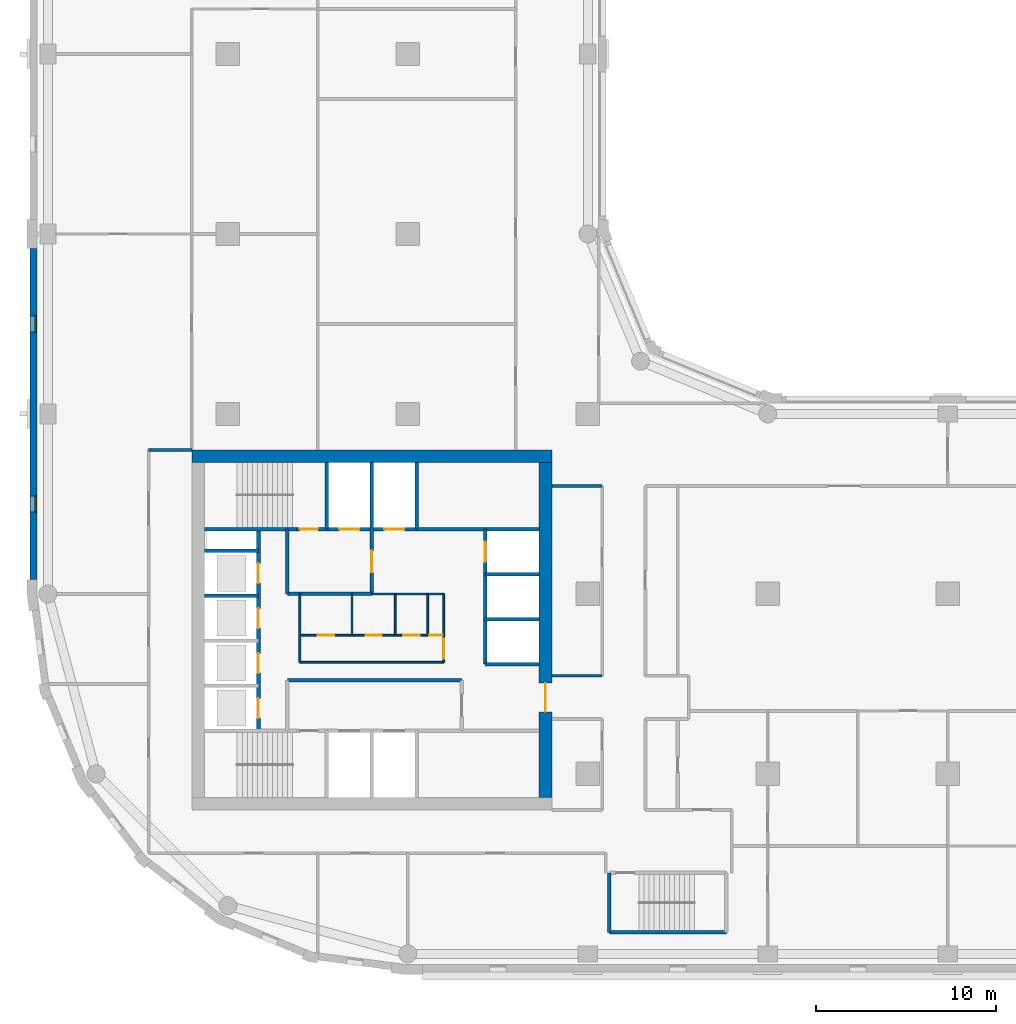
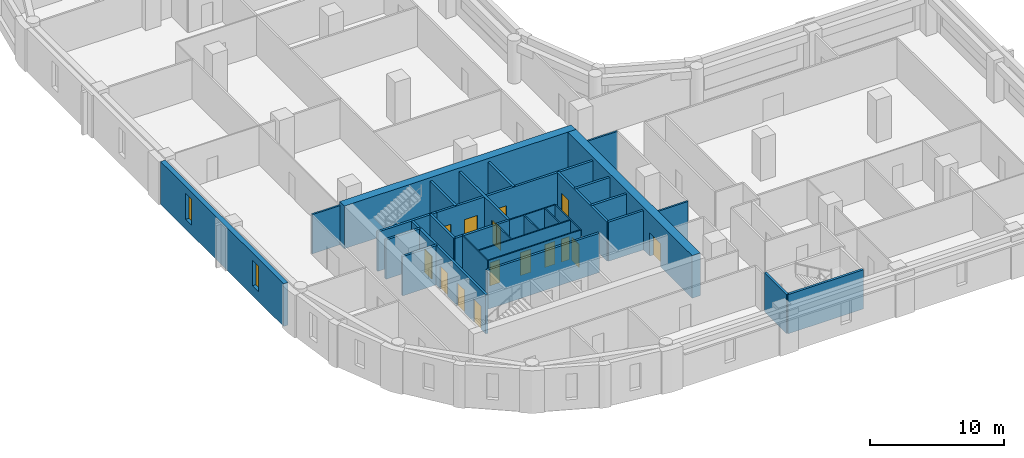
# One storey, part 3 of 10: 31 walls, 15 doors, 2 windows, 17 openings.
"""IFC4 building model written with IfcOpenShell, lengths in metres."""

from ifc_helpers import new_model, si_unit, direction, frame, frame_2d, origin, place, context, subcontext, project, spatial, rectangle, extrude, material, layer, layer_set, type_object, element, fill, save


model = new_model("IFC4")

# Units and contexts
model_context = context("Model", 3, precision=1e-05, world=origin(), true_north=direction((0.0, 1.0)))
body_context = subcontext(model_context, "Body", "Model", "MODEL_VIEW")
ifc_project = project(units=[si_unit("LENGTHUNIT", "METRE"), si_unit("AREAUNIT", "SQUARE_METRE"), si_unit("VOLUMEUNIT", "CUBIC_METRE"), si_unit("PLANEANGLEUNIT", "RADIAN"), si_unit("MASSUNIT", "GRAM", prefix="KILO")], contexts=[model_context])

# Site, building, storey
site_placement = place(None, origin())
site = spatial("IfcSite", under=ifc_project, at=site_placement, CompositionType="ELEMENT")
building_placement = place(site_placement, origin())
building = spatial("IfcBuilding", under=site, at=building_placement, Name="Qaws Garden Tower", CompositionType="ELEMENT")
storey_placement = place(building_placement, frame((0.0, 0.0, 205.800048828125)))
storey = spatial("IfcBuildingStorey", under=building, at=storey_placement, Name="L50", CompositionType="ELEMENT", Elevation=205.800048828125)

# Wall, openings, windows
ifc_material_1 = material(Name="Buff clay facing brick masonry", Category="masonry")
ifc_layer_1 = layer(ifc_material_1, 0.39990234375)
ifc_layer_set_1 = layer_set([ifc_layer_1], Name="Buff clay facing brick masonry")
wall_type_1 = type_object("IfcWallType", Name="Buff brick infill wall 400", PredefinedType="SOLIDWALL", material=ifc_layer_set_1)
wall_1_placement = place(storey_placement, frame((-0.800048828125, 39.199951171875, 0.0), z_axis=(0.0, 0.0, 1.0), x_axis=(0.0, -1.0, 0.0)))
wall_1 = element("IfcWall", 1, at=wall_1_placement, inside=storey, type_object=wall_type_1, Name="E-L50-infill-23", PredefinedType="SOLIDWALL", context=body_context, shape_type="SweptSolid", body=[
    extrude(rectangle(XDim=18.39990234375, YDim=0.39990234375, at=frame_2d((9.199951171875, 0.0))), origin(), (0.0, 0.0, 1.0), 3.89990234375),
])
opening_1_placement = place(wall_1_placement, frame((3.75, 0.0, 0.89990234375)))
opening_1 = element("IfcOpeningElement", 2, at=opening_1_placement, cuts=wall_1, Name="Opening W09", PredefinedType="OPENING", context=body_context, shape_type="SweptSolid", body=[
    extrude(rectangle(XDim=0.89990234375, YDim=2.35009765625, at=frame_2d((0.449951171875, 1.175048828125))), frame((0.0, 0.2099609375, 0.0), z_axis=(0.0, -1.0, 0.0), x_axis=(1.0, 0.0, 0.0)), (0.0, 0.0, 1.0), 0.419921875),
])
opening_2_placement = place(wall_1_placement, frame((13.75, 0.0, 0.89990234375)))
opening_2 = element("IfcOpeningElement", 3, at=opening_2_placement, cuts=wall_1, Name="Opening W09", PredefinedType="OPENING", context=body_context, shape_type="SweptSolid", body=[
    extrude(rectangle(XDim=0.89990234375, YDim=2.35009765625, at=frame_2d((0.449951171875, 1.175048828125))), frame((0.0, 0.2099609375, 0.0), z_axis=(0.0, -1.0, 0.0), x_axis=(1.0, 0.0, 0.0)), (0.0, 0.0, 1.0), 0.419921875),
])
ifc_material_2 = material(Name="Aluminium framed window, clear glazing", Category="aluminium")
window_type = type_object("IfcWindowType", Name="Slit window 900 x 2350", PartitioningType="SINGLE_PANEL", PredefinedType="WINDOW", material=ifc_material_2)
window_1_placement = place(opening_1_placement, origin())
window_1 = element("IfcWindow", 4, at=window_1_placement, inside=storey, type_object=window_type, Name="E-L50-window-23-0", OverallHeight=2.35009765625, OverallWidth=0.89990234375, PartitioningType="SINGLE_PANEL", PredefinedType="WINDOW", context=body_context, shape_type="SweptSolid", body=[
    extrude(rectangle(XDim=0.89990234375, YDim=2.35009765625, at=frame_2d((0.449951171875, 1.175048828125))), frame((0.0, 0.159912109375, 0.0), z_axis=(0.0, -1.0, 0.0), x_axis=(1.0, 0.0, 0.0)), (0.0, 0.0, 1.0), 0.06005859375),
])
fill(opening_1, window_1)
window_2_placement = place(opening_2_placement, origin())
window_2 = element("IfcWindow", 5, at=window_2_placement, inside=storey, type_object=window_type, Name="E-L50-window-24-0", OverallHeight=2.35009765625, OverallWidth=0.89990234375, PartitioningType="SINGLE_PANEL", PredefinedType="WINDOW", context=body_context, shape_type="SweptSolid", body=[
    extrude(rectangle(XDim=0.89990234375, YDim=2.35009765625, at=frame_2d((0.449951171875, 1.175048828125))), frame((0.0, 0.159912109375, 0.0), z_axis=(0.0, -1.0, 0.0), x_axis=(1.0, 0.0, 0.0)), (0.0, 0.0, 1.0), 0.06005859375),
])
fill(opening_2, window_2)

# Wall
ifc_material_3 = material(Name="Plasterboard")
ifc_layer_2 = layer(ifc_material_3, 0.10009765625)
ifc_layer_set_2 = layer_set([ifc_layer_2], Name="Plasterboard")
wall_type_2 = type_object("IfcWallType", Name="Core partition 100", PredefinedType="PARTITIONING", material=ifc_layer_set_2)
wall_2_placement = place(storey_placement, frame((14.0, 16.199951171875, 0.0), z_axis=(0.0, 0.0, 1.0), x_axis=(1.0, 0.0, 0.0)))
element("IfcWall", 6, at=wall_2_placement, inside=storey, type_object=wall_type_2, Name="Core partition", PredefinedType="PARTITIONING", context=body_context, shape_type="SweptSolid", body=[
    extrude(rectangle(XDim=8.0, YDim=0.10009765625, at=frame_2d((4.0, 0.0))), origin(), (0.0, 0.0, 1.0), 3.579833984375),
])

# Wall, openings, doors
wall_3_placement = place(storey_placement, frame((14.0, 17.699951171875, 0.0), z_axis=(0.0, 0.0, 1.0), x_axis=(1.0, 0.0, 0.0)))
wall_3 = element("IfcWall", 7, at=wall_3_placement, inside=storey, type_object=wall_type_2, Name="Core partition", PredefinedType="PARTITIONING", context=body_context, shape_type="SweptSolid", body=[
    extrude(rectangle(XDim=8.0, YDim=0.10009765625, at=frame_2d((4.0, 0.0))), origin(), (0.0, 0.0, 1.0), 3.579833984375),
])
opening_3_placement = place(wall_3_placement, frame((1.0, 0.0, 0.0)))
opening_3 = element("IfcOpeningElement", 8, at=opening_3_placement, cuts=wall_3, Name="Opening WD18", PredefinedType="OPENING", context=body_context, shape_type="SweptSolid", body=[
    extrude(rectangle(XDim=0.89990234375, YDim=2.10009765625, at=frame_2d((0.449951171875, 1.050048828125))), frame((0.0, 0.06005859375, 0.0), z_axis=(0.0, -1.0, 0.0), x_axis=(1.0, 0.0, 0.0)), (0.0, 0.0, 1.0), 0.1201171875),
])
opening_4_placement = place(wall_3_placement, frame((3.64990234375, 0.0, 0.0)))
opening_4 = element("IfcOpeningElement", 9, at=opening_4_placement, cuts=wall_3, Name="Opening WD19", PredefinedType="OPENING", context=body_context, shape_type="SweptSolid", body=[
    extrude(rectangle(XDim=0.89990234375, YDim=2.10009765625, at=frame_2d((0.449951171875, 1.050048828125))), frame((0.0, 0.06005859375, 0.0), z_axis=(0.0, -1.0, 0.0), x_axis=(1.0, 0.0, 0.0)), (0.0, 0.0, 1.0), 0.1201171875),
])
opening_5_placement = place(wall_3_placement, frame((5.75, 0.0, 0.0)))
opening_5 = element("IfcOpeningElement", 10, at=opening_5_placement, cuts=wall_3, Name="Opening WD20", PredefinedType="OPENING", context=body_context, shape_type="SweptSolid", body=[
    extrude(rectangle(XDim=0.89990234375, YDim=2.10009765625, at=frame_2d((0.449951171875, 1.050048828125))), frame((0.0, 0.06005859375, 0.0), z_axis=(0.0, -1.0, 0.0), x_axis=(1.0, 0.0, 0.0)), (0.0, 0.0, 1.0), 0.1201171875),
])
opening_6_placement = place(wall_3_placement, frame((7.199951171875, 0.0, 0.0)))
opening_6 = element("IfcOpeningElement", 11, at=opening_6_placement, cuts=wall_3, Name="Opening XD21", PredefinedType="OPENING", context=body_context, shape_type="SweptSolid", body=[
    extrude(rectangle(XDim=0.699951171875, YDim=2.10009765625, at=frame_2d((0.35009765625, 1.050048828125))), frame((0.0, 0.06005859375, 0.0), z_axis=(0.0, -1.0, 0.0), x_axis=(1.0, 0.0, 0.0)), (0.0, 0.0, 1.0), 0.1201171875),
])
ifc_material_4 = material(Name="Timber", Category="wood")
door_type_1 = type_object("IfcDoorType", Name="Store door 700x2100", OperationType="SINGLE_SWING_LEFT", PredefinedType="DOOR", material=ifc_material_4)
door_1_placement = place(opening_6_placement, origin())
door_1 = element("IfcDoor", 12, at=door_1_placement, inside=storey, type_object=door_type_1, Name="Cleaner's store door", OperationType="SINGLE_SWING_RIGHT", OverallHeight=2.10009765625, OverallWidth=0.699951171875, PredefinedType="DOOR", context=body_context, shape_type="SweptSolid", body=[
    extrude(rectangle(XDim=0.699951171875, YDim=2.10009765625, at=frame_2d((0.35009765625, 1.050048828125))), frame((0.0, 0.02490234375, 0.0), z_axis=(0.0, -1.0, 0.0), x_axis=(1.0, 0.0, 0.0)), (0.0, 0.0, 1.0), 0.050048828125),
])
fill(opening_6, door_1)
ifc_material_5 = material(Name="Timber", Category="wood")
door_type_2 = type_object("IfcDoorType", Name="WC door 900x2100", OperationType="SINGLE_SWING_LEFT", PredefinedType="DOOR", material=ifc_material_5)
door_2_placement = place(opening_3_placement, origin())
door_2 = element("IfcDoor", 13, at=door_2_placement, inside=storey, type_object=door_type_2, Name="Women's WC door", OperationType="SINGLE_SWING_RIGHT", OverallHeight=2.10009765625, OverallWidth=0.89990234375, PredefinedType="DOOR", context=body_context, shape_type="SweptSolid", body=[
    extrude(rectangle(XDim=0.89990234375, YDim=2.10009765625, at=frame_2d((0.449951171875, 1.050048828125))), frame((0.0, 0.02490234375, 0.0), z_axis=(0.0, -1.0, 0.0), x_axis=(1.0, 0.0, 0.0)), (0.0, 0.0, 1.0), 0.050048828125),
])
fill(opening_3, door_2)
door_3_placement = place(opening_4_placement, origin())
door_3 = element("IfcDoor", 14, at=door_3_placement, inside=storey, type_object=door_type_2, Name="Men's WC door", OperationType="SINGLE_SWING_RIGHT", OverallHeight=2.10009765625, OverallWidth=0.89990234375, PredefinedType="DOOR", context=body_context, shape_type="SweptSolid", body=[
    extrude(rectangle(XDim=0.89990234375, YDim=2.10009765625, at=frame_2d((0.449951171875, 1.050048828125))), frame((0.0, 0.02490234375, 0.0), z_axis=(0.0, -1.0, 0.0), x_axis=(1.0, 0.0, 0.0)), (0.0, 0.0, 1.0), 0.050048828125),
])
fill(opening_4, door_3)
door_4_placement = place(opening_5_placement, origin())
door_4 = element("IfcDoor", 15, at=door_4_placement, inside=storey, type_object=door_type_2, Name="Accessible WC door", OperationType="SINGLE_SWING_RIGHT", OverallHeight=2.10009765625, OverallWidth=0.89990234375, PredefinedType="DOOR", context=body_context, shape_type="SweptSolid", body=[
    extrude(rectangle(XDim=0.89990234375, YDim=2.10009765625, at=frame_2d((0.449951171875, 1.050048828125))), frame((0.0, 0.02490234375, 0.0), z_axis=(0.0, -1.0, 0.0), x_axis=(1.0, 0.0, 0.0)), (0.0, 0.0, 1.0), 0.050048828125),
])
fill(opening_5, door_4)

# Walls
wall_4_placement = place(storey_placement, frame((18.0, 20.0, 0.0), z_axis=(0.0, 0.0, 1.0), x_axis=(1.0, 0.0, 0.0)))
element("IfcWall", 16, at=wall_4_placement, inside=storey, type_object=wall_type_2, Name="Core partition", PredefinedType="PARTITIONING", context=body_context, shape_type="SweptSolid", body=[
    extrude(rectangle(XDim=4.0, YDim=0.10009765625, at=frame_2d((2.0, 0.0))), origin(), (0.0, 0.0, 1.0), 3.579833984375),
])
wall_5_placement = place(storey_placement, frame((14.0, 16.199951171875, 0.0), z_axis=(0.0, 0.0, 1.0), x_axis=(0.0, 1.0, 0.0)))
element("IfcWall", 17, at=wall_5_placement, inside=storey, type_object=wall_type_2, Name="Core partition", PredefinedType="PARTITIONING", context=body_context, shape_type="SweptSolid", body=[
    extrude(rectangle(XDim=3.800048828125, YDim=0.10009765625, at=frame_2d((1.89990234375, 0.0))), origin(), (0.0, 0.0, 1.0), 3.579833984375),
])
for number, where, z_axis, x_axis, name in (
    (18, (16.89990234375, 17.699951171875, 0.0), (0.0, 0.0, 1.0), (0.0, 1.0, 0.0), "Core partition"),
    (19, (19.300048828125, 17.699951171875, 0.0), (0.0, 0.0, 1.0), (0.0, 1.0, 0.0), "Core partition"),
    (20, (21.10009765625, 17.699951171875, 0.0), (0.0, 0.0, 1.0), (0.0, 1.0, 0.0), "Core partition"),
):
    element("IfcWall", number, at=place(storey_placement, frame(where, z_axis=z_axis, x_axis=x_axis)), inside=storey, type_object=wall_type_2, Name=name, PredefinedType="PARTITIONING", context=body_context, shape_type="SweptSolid", body=[
        extrude(rectangle(XDim=2.300048828125, YDim=0.10009765625, at=frame_2d((1.14990234375, 0.0))), origin(), (0.0, 0.0, 1.0), 3.579833984375),
    ])

# Wall, opening, door
wall_6_placement = place(storey_placement, frame((22.0, 16.199951171875, 0.0), z_axis=(0.0, 0.0, 1.0), x_axis=(0.0, 1.0, 0.0)))
wall_6 = element("IfcWall", 21, at=wall_6_placement, inside=storey, type_object=wall_type_2, Name="Core partition", PredefinedType="PARTITIONING", context=body_context, shape_type="SweptSolid", body=[
    extrude(rectangle(XDim=3.800048828125, YDim=0.10009765625, at=frame_2d((1.89990234375, 0.0))), origin(), (0.0, 0.0, 1.0), 3.579833984375),
])
opening_7_placement = place(wall_6_placement, frame((0.199951171875, 0.0, 0.0)))
opening_7 = element("IfcOpeningElement", 22, at=opening_7_placement, cuts=wall_6, Name="Opening WL17", PredefinedType="OPENING", context=body_context, shape_type="SweptSolid", body=[
    extrude(rectangle(XDim=1.10009765625, YDim=2.10009765625, at=frame_2d((0.550048828125, 1.050048828125))), frame((0.0, 0.06005859375, 0.0), z_axis=(0.0, -1.0, 0.0), x_axis=(1.0, 0.0, 0.0)), (0.0, 0.0, 1.0), 0.1201171875),
])
ifc_material_6 = material(Name="Timber", Category="wood")
door_type_3 = type_object("IfcDoorType", Name="WC lobby door 1100x2100", OperationType="SINGLE_SWING_LEFT", PredefinedType="DOOR", material=ifc_material_6)
door_5_placement = place(opening_7_placement, origin())
door_5 = element("IfcDoor", 23, at=door_5_placement, inside=storey, type_object=door_type_3, Name="WC lobby door", OperationType="SINGLE_SWING_RIGHT", OverallHeight=2.10009765625, OverallWidth=1.10009765625, PredefinedType="DOOR", context=body_context, shape_type="SweptSolid", body=[
    extrude(rectangle(XDim=1.10009765625, YDim=2.10009765625, at=frame_2d((0.550048828125, 1.050048828125))), frame((0.0, 0.02490234375, 0.0), z_axis=(0.0, -1.0, 0.0), x_axis=(1.0, 0.0, 0.0)), (0.0, 0.0, 1.0), 0.050048828125),
])
fill(opening_7, door_5)

# Walls
ifc_material_7 = material(Name="Concrete C70", Category="concrete")
ifc_layer_3 = layer(ifc_material_7, 0.199951171875)
ifc_layer_set_3 = layer_set([ifc_layer_3], Name="Concrete C70")
wall_type_3 = type_object("IfcWallType", Name="Core shaft wall 200 C70", PredefinedType="SHEAR", material=ifc_layer_set_3)
wall_7_placement = place(storey_placement, frame((31.199951171875, 1.199951171875, 0.0), z_axis=(0.0, 0.0, 1.0), x_axis=(1.0, 0.0, 0.0)))
element("IfcWall", 24, at=wall_7_placement, inside=storey, type_object=wall_type_3, Name="Shaft wall", PredefinedType="SHEAR", context=body_context, shape_type="SweptSolid", body=[
    extrude(rectangle(XDim=6.5, YDim=0.199951171875, at=frame_2d((3.25, 0.0))), origin(), (0.0, 0.0, 1.0), 3.579833984375),
])
wall_8_placement = place(storey_placement, frame((13.300048828125, 15.199951171875, 0.0), z_axis=(0.0, 0.0, 1.0), x_axis=(1.0, 0.0, 0.0)))
element("IfcWall", 25, at=wall_8_placement, inside=storey, type_object=wall_type_3, Name="Shaft wall", PredefinedType="SHEAR", context=body_context, shape_type="SweptSolid", body=[
    extrude(rectangle(XDim=9.699951171875, YDim=0.199951171875, at=frame_2d((4.85009765625, 0.0))), origin(), (0.0, 0.0, 1.0), 3.579833984375),
])
for number, where, z_axis, x_axis, name in (
    (26, (24.300048828125, 16.10009765625, 0.0), (0.0, 0.0, 1.0), (1.0, 0.0, 0.0), "Shaft wall"),
    (27, (24.300048828125, 18.60009765625, 0.0), (0.0, 0.0, 1.0), (1.0, 0.0, 0.0), "Shaft wall"),
    (28, (8.699951171875, 19.89990234375, 0.0), (0.0, 0.0, 1.0), (1.0, 0.0, 0.0), "Shaft wall"),
):
    element("IfcWall", number, at=place(storey_placement, frame(where, z_axis=z_axis, x_axis=x_axis)), inside=storey, type_object=wall_type_3, Name=name, PredefinedType="SHEAR", context=body_context, shape_type="SweptSolid", body=[
        extrude(rectangle(XDim=3.0, YDim=0.199951171875, at=frame_2d((1.5, 0.0))), origin(), (0.0, 0.0, 1.0), 3.579833984375),
    ])
wall_9_placement = place(storey_placement, frame((13.300048828125, 20.0, 0.0), z_axis=(0.0, 0.0, 1.0), x_axis=(1.0, 0.0, 0.0)))
element("IfcWall", 29, at=wall_9_placement, inside=storey, type_object=wall_type_3, Name="Shaft wall", PredefinedType="SHEAR", context=body_context, shape_type="SweptSolid", body=[
    extrude(rectangle(XDim=4.699951171875, YDim=0.199951171875, at=frame_2d((2.35009765625, 0.0))), origin(), (0.0, 0.0, 1.0), 3.579833984375),
])
for number, where, z_axis, x_axis, name in (
    (30, (24.300048828125, 21.10009765625, 0.0), (0.0, 0.0, 1.0), (1.0, 0.0, 0.0), "Shaft wall"),
    (31, (8.699951171875, 22.39990234375, 0.0), (0.0, 0.0, 1.0), (1.0, 0.0, 0.0), "Shaft wall"),
):
    element("IfcWall", number, at=place(storey_placement, frame(where, z_axis=z_axis, x_axis=x_axis)), inside=storey, type_object=wall_type_3, Name=name, PredefinedType="SHEAR", context=body_context, shape_type="SweptSolid", body=[
        extrude(rectangle(XDim=3.0, YDim=0.199951171875, at=frame_2d((1.5, 0.0))), origin(), (0.0, 0.0, 1.0), 3.579833984375),
    ])
wall_10_placement = place(storey_placement, frame((8.699951171875, 23.60009765625, 0.0), z_axis=(0.0, 0.0, 1.0), x_axis=(1.0, 0.0, 0.0)))
element("IfcWall", 32, at=wall_10_placement, inside=storey, type_object=wall_type_3, Name="Shaft wall", PredefinedType="SHEAR", context=body_context, shape_type="SweptSolid", body=[
    extrude(rectangle(XDim=5.10009765625, YDim=0.199951171875, at=frame_2d((2.550048828125, 0.0))), origin(), (0.0, 0.0, 1.0), 3.579833984375),
])

# Wall, openings, doors
wall_11_placement = place(storey_placement, frame((13.800048828125, 23.60009765625, 0.0), z_axis=(0.0, 0.0, 1.0), x_axis=(1.0, 0.0, 0.0)))
wall_11 = element("IfcWall", 33, at=wall_11_placement, inside=storey, type_object=wall_type_3, Name="Shaft wall", PredefinedType="SHEAR", context=body_context, shape_type="SweptSolid", body=[
    extrude(rectangle(XDim=13.5, YDim=0.199951171875, at=frame_2d((6.75, 0.0))), origin(), (0.0, 0.0, 1.0), 3.579833984375),
])
opening_8_placement = place(wall_11_placement, frame((2.39990234375, 0.0, 0.0)))
opening_8 = element("IfcOpeningElement", 34, at=opening_8_placement, cuts=wall_11, Name="Opening LD08", PredefinedType="OPENING", context=body_context, shape_type="SweptSolid", body=[
    extrude(rectangle(XDim=1.10009765625, YDim=2.10009765625, at=frame_2d((0.550048828125, 1.050048828125))), frame((0.0, 0.10986328125, 0.0), z_axis=(0.0, -1.0, 0.0), x_axis=(1.0, 0.0, 0.0)), (0.0, 0.0, 1.0), 0.219970703125),
])
opening_9_placement = place(wall_11_placement, frame((4.89990234375, 0.0, 0.0)))
opening_9 = element("IfcOpeningElement", 35, at=opening_9_placement, cuts=wall_11, Name="Opening LD09", PredefinedType="OPENING", context=body_context, shape_type="SweptSolid", body=[
    extrude(rectangle(XDim=1.10009765625, YDim=2.10009765625, at=frame_2d((0.550048828125, 1.050048828125))), frame((0.0, 0.10986328125, 0.0), z_axis=(0.0, -1.0, 0.0), x_axis=(1.0, 0.0, 0.0)), (0.0, 0.0, 1.0), 0.219970703125),
])
opening_10_placement = place(wall_11_placement, frame((0.199951171875, 0.0, 0.0)))
opening_10 = element("IfcOpeningElement", 36, at=opening_10_placement, cuts=wall_11, Name="Opening SD11", PredefinedType="OPENING", context=body_context, shape_type="SweptSolid", body=[
    extrude(rectangle(XDim=1.0, YDim=2.10009765625, at=frame_2d((0.5, 1.050048828125))), frame((0.0, 0.10986328125, 0.0), z_axis=(0.0, -1.0, 0.0), x_axis=(1.0, 0.0, 0.0)), (0.0, 0.0, 1.0), 0.219970703125),
])
ifc_material_8 = material(Name="Steel S235", Category="steel")
door_type_4 = type_object("IfcDoorType", Name="Landing door 1100x2100", OperationType="DOUBLE_DOOR_SLIDING", PredefinedType="DOOR", material=ifc_material_8)
door_6_placement = place(opening_8_placement, origin())
door_6 = element("IfcDoor", 37, at=door_6_placement, inside=storey, type_object=door_type_4, Name="Lift FF3 landing door", OperationType="DOUBLE_DOOR_SLIDING", OverallHeight=2.10009765625, OverallWidth=1.10009765625, PredefinedType="DOOR", context=body_context, shape_type="SweptSolid", body=[
    extrude(rectangle(XDim=1.10009765625, YDim=2.10009765625, at=frame_2d((0.550048828125, 1.050048828125))), frame((0.0, 0.02490234375, 0.0), z_axis=(0.0, -1.0, 0.0), x_axis=(1.0, 0.0, 0.0)), (0.0, 0.0, 1.0), 0.050048828125),
])
fill(opening_8, door_6)
door_7_placement = place(opening_9_placement, origin())
door_7 = element("IfcDoor", 38, at=door_7_placement, inside=storey, type_object=door_type_4, Name="Lift SV2 landing door", OperationType="DOUBLE_DOOR_SLIDING", OverallHeight=2.10009765625, OverallWidth=1.10009765625, PredefinedType="DOOR", context=body_context, shape_type="SweptSolid", body=[
    extrude(rectangle(XDim=1.10009765625, YDim=2.10009765625, at=frame_2d((0.550048828125, 1.050048828125))), frame((0.0, 0.02490234375, 0.0), z_axis=(0.0, -1.0, 0.0), x_axis=(1.0, 0.0, 0.0)), (0.0, 0.0, 1.0), 0.050048828125),
])
fill(opening_9, door_7)
ifc_material_9 = material(Name="Steel S235", Category="steel")
door_type_5 = type_object("IfcDoorType", Name="Stair door 1000x2100", OperationType="SINGLE_SWING_RIGHT", PredefinedType="DOOR", material=ifc_material_9)
door_8_placement = place(opening_10_placement, origin())
door_8 = element("IfcDoor", 39, at=door_8_placement, inside=storey, type_object=door_type_5, Name="Stair 4 door", OperationType="SINGLE_SWING_RIGHT", OverallHeight=2.10009765625, OverallWidth=1.0, PredefinedType="DOOR", context=body_context, shape_type="SweptSolid", body=[
    extrude(rectangle(XDim=1.0, YDim=2.10009765625, at=frame_2d((0.5, 1.050048828125))), frame((0.0, 0.02490234375, 0.0), z_axis=(0.0, -1.0, 0.0), x_axis=(1.0, 0.0, 0.0)), (0.0, 0.0, 1.0), 0.050048828125),
])
fill(opening_10, door_8)

wall_12_placement = place(storey_placement, frame((11.699951171875, 12.39990234375, 0.0), z_axis=(0.0, 0.0, 1.0), x_axis=(0.0, 1.0, 0.0)))
wall_12 = element("IfcWall", 40, at=wall_12_placement, inside=storey, type_object=wall_type_3, Name="Shaft wall", PredefinedType="SHEAR", context=body_context, shape_type="SweptSolid", body=[
    extrude(rectangle(XDim=11.2001953125, YDim=0.199951171875, at=frame_2d((5.60009765625, 0.0))), origin(), (0.0, 0.0, 1.0), 3.579833984375),
])
opening_11_placement = place(wall_12_placement, frame((0.699951171875, 0.0, 0.0)))
opening_11 = element("IfcOpeningElement", 41, at=opening_11_placement, cuts=wall_12, Name="Opening LD01", PredefinedType="OPENING", context=body_context, shape_type="SweptSolid", body=[
    extrude(rectangle(XDim=1.10009765625, YDim=2.10009765625, at=frame_2d((0.550048828125, 1.050048828125))), frame((0.0, 0.10986328125, 0.0), z_axis=(0.0, -1.0, 0.0), x_axis=(1.0, 0.0, 0.0)), (0.0, 0.0, 1.0), 0.219970703125),
])
opening_12_placement = place(wall_12_placement, frame((3.199951171875, 0.0, 0.0)))
opening_12 = element("IfcOpeningElement", 42, at=opening_12_placement, cuts=wall_12, Name="Opening LD02", PredefinedType="OPENING", context=body_context, shape_type="SweptSolid", body=[
    extrude(rectangle(XDim=1.10009765625, YDim=2.10009765625, at=frame_2d((0.550048828125, 1.050048828125))), frame((0.0, 0.10986328125, 0.0), z_axis=(0.0, -1.0, 0.0), x_axis=(1.0, 0.0, 0.0)), (0.0, 0.0, 1.0), 0.219970703125),
])
opening_13_placement = place(wall_12_placement, frame((5.699951171875, 0.0, 0.0)))
opening_13 = element("IfcOpeningElement", 43, at=opening_13_placement, cuts=wall_12, Name="Opening LD03", PredefinedType="OPENING", context=body_context, shape_type="SweptSolid", body=[
    extrude(rectangle(XDim=1.10009765625, YDim=2.10009765625, at=frame_2d((0.550048828125, 1.050048828125))), frame((0.0, 0.10986328125, 0.0), z_axis=(0.0, -1.0, 0.0), x_axis=(1.0, 0.0, 0.0)), (0.0, 0.0, 1.0), 0.219970703125),
])
opening_14_placement = place(wall_12_placement, frame((8.199951171875, 0.0, 0.0)))
opening_14 = element("IfcOpeningElement", 44, at=opening_14_placement, cuts=wall_12, Name="Opening LD04", PredefinedType="OPENING", context=body_context, shape_type="SweptSolid", body=[
    extrude(rectangle(XDim=1.10009765625, YDim=2.10009765625, at=frame_2d((0.550048828125, 1.050048828125))), frame((0.0, 0.10986328125, 0.0), z_axis=(0.0, -1.0, 0.0), x_axis=(1.0, 0.0, 0.0)), (0.0, 0.0, 1.0), 0.219970703125),
])
door_9_placement = place(opening_11_placement, origin())
door_9 = element("IfcDoor", 45, at=door_9_placement, inside=storey, type_object=door_type_4, Name="Lift W1 landing door", OperationType="DOUBLE_DOOR_SLIDING", OverallHeight=2.10009765625, OverallWidth=1.10009765625, PredefinedType="DOOR", context=body_context, shape_type="SweptSolid", body=[
    extrude(rectangle(XDim=1.10009765625, YDim=2.10009765625, at=frame_2d((0.550048828125, 1.050048828125))), frame((0.0, 0.02490234375, 0.0), z_axis=(0.0, -1.0, 0.0), x_axis=(1.0, 0.0, 0.0)), (0.0, 0.0, 1.0), 0.050048828125),
])
fill(opening_11, door_9)
door_10_placement = place(opening_12_placement, origin())
door_10 = element("IfcDoor", 46, at=door_10_placement, inside=storey, type_object=door_type_4, Name="Lift W2 landing door", OperationType="DOUBLE_DOOR_SLIDING", OverallHeight=2.10009765625, OverallWidth=1.10009765625, PredefinedType="DOOR", context=body_context, shape_type="SweptSolid", body=[
    extrude(rectangle(XDim=1.10009765625, YDim=2.10009765625, at=frame_2d((0.550048828125, 1.050048828125))), frame((0.0, 0.02490234375, 0.0), z_axis=(0.0, -1.0, 0.0), x_axis=(1.0, 0.0, 0.0)), (0.0, 0.0, 1.0), 0.050048828125),
])
fill(opening_12, door_10)
door_11_placement = place(opening_13_placement, origin())
door_11 = element("IfcDoor", 47, at=door_11_placement, inside=storey, type_object=door_type_4, Name="Lift W3 landing door", OperationType="DOUBLE_DOOR_SLIDING", OverallHeight=2.10009765625, OverallWidth=1.10009765625, PredefinedType="DOOR", context=body_context, shape_type="SweptSolid", body=[
    extrude(rectangle(XDim=1.10009765625, YDim=2.10009765625, at=frame_2d((0.550048828125, 1.050048828125))), frame((0.0, 0.02490234375, 0.0), z_axis=(0.0, -1.0, 0.0), x_axis=(1.0, 0.0, 0.0)), (0.0, 0.0, 1.0), 0.050048828125),
])
fill(opening_13, door_11)
door_12_placement = place(opening_14_placement, origin())
door_12 = element("IfcDoor", 48, at=door_12_placement, inside=storey, type_object=door_type_4, Name="Lift W4 landing door", OperationType="DOUBLE_DOOR_SLIDING", OverallHeight=2.10009765625, OverallWidth=1.10009765625, PredefinedType="DOOR", context=body_context, shape_type="SweptSolid", body=[
    extrude(rectangle(XDim=1.10009765625, YDim=2.10009765625, at=frame_2d((0.550048828125, 1.050048828125))), frame((0.0, 0.02490234375, 0.0), z_axis=(0.0, -1.0, 0.0), x_axis=(1.0, 0.0, 0.0)), (0.0, 0.0, 1.0), 0.050048828125),
])
fill(opening_14, door_12)

# Walls
wall_13_placement = place(storey_placement, frame((13.300048828125, 20.0, 0.0), z_axis=(0.0, 0.0, 1.0), x_axis=(0.0, 1.0, 0.0)))
element("IfcWall", 49, at=wall_13_placement, inside=storey, type_object=wall_type_3, Name="Shaft wall", PredefinedType="SHEAR", context=body_context, shape_type="SweptSolid", body=[
    extrude(rectangle(XDim=3.60009765625, YDim=0.199951171875, at=frame_2d((1.800048828125, 0.0))), origin(), (0.0, 0.0, 1.0), 3.579833984375),
])
wall_14_placement = place(storey_placement, frame((15.5, 23.60009765625, 0.0), z_axis=(0.0, 0.0, 1.0), x_axis=(0.0, 1.0, 0.0)))
element("IfcWall", 50, at=wall_14_placement, inside=storey, type_object=wall_type_3, Name="Shaft wall", PredefinedType="SHEAR", context=body_context, shape_type="SweptSolid", body=[
    extrude(rectangle(XDim=3.699951171875, YDim=0.199951171875, at=frame_2d((1.85009765625, 0.0))), origin(), (0.0, 0.0, 1.0), 3.579833984375),
])

# Wall, opening, door
wall_15_placement = place(storey_placement, frame((18.0, 20.0, 0.0), z_axis=(0.0, 0.0, 1.0), x_axis=(0.0, 1.0, 0.0)))
wall_15 = element("IfcWall", 51, at=wall_15_placement, inside=storey, type_object=wall_type_3, Name="Shaft wall", PredefinedType="SHEAR", context=body_context, shape_type="SweptSolid", body=[
    extrude(rectangle(XDim=7.300048828125, YDim=0.199951171875, at=frame_2d((3.64990234375, 0.0))), origin(), (0.0, 0.0, 1.0), 3.579833984375),
])
opening_15_placement = place(wall_15_placement, frame((1.199951171875, 0.0, 0.0)))
opening_15 = element("IfcOpeningElement", 52, at=opening_15_placement, cuts=wall_15, Name="Opening FD16", PredefinedType="OPENING", context=body_context, shape_type="SweptSolid", body=[
    extrude(rectangle(XDim=1.199951171875, YDim=2.10009765625, at=frame_2d((0.60009765625, 1.050048828125))), frame((0.0, 0.10986328125, 0.0), z_axis=(0.0, -1.0, 0.0), x_axis=(1.0, 0.0, 0.0)), (0.0, 0.0, 1.0), 0.219970703125),
])
ifc_material_10 = material(Name="Steel S235", Category="steel")
door_type_6 = type_object("IfcDoorType", Name="Lobby door 1200x2100", OperationType="DOUBLE_DOOR_SINGLE_SWING", PredefinedType="DOOR", material=ifc_material_10)
door_13_placement = place(opening_15_placement, origin())
door_13 = element("IfcDoor", 53, at=door_13_placement, inside=storey, type_object=door_type_6, Name="Fire-fighting lobby door", OperationType="DOUBLE_DOOR_SINGLE_SWING", OverallHeight=2.10009765625, OverallWidth=1.199951171875, PredefinedType="DOOR", context=body_context, shape_type="SweptSolid", body=[
    extrude(rectangle(XDim=1.199951171875, YDim=2.10009765625, at=frame_2d((0.60009765625, 1.050048828125))), frame((0.0, 0.02490234375, 0.0), z_axis=(0.0, -1.0, 0.0), x_axis=(1.0, 0.0, 0.0)), (0.0, 0.0, 1.0), 0.050048828125),
])
fill(opening_15, door_13)

# Wall
wall_16_placement = place(storey_placement, frame((20.5, 23.60009765625, 0.0), z_axis=(0.0, 0.0, 1.0), x_axis=(0.0, 1.0, 0.0)))
element("IfcWall", 54, at=wall_16_placement, inside=storey, type_object=wall_type_3, Name="Shaft wall", PredefinedType="SHEAR", context=body_context, shape_type="SweptSolid", body=[
    extrude(rectangle(XDim=3.699951171875, YDim=0.199951171875, at=frame_2d((1.85009765625, 0.0))), origin(), (0.0, 0.0, 1.0), 3.579833984375),
])

# Wall, opening, door
wall_17_placement = place(storey_placement, frame((24.300048828125, 16.10009765625, 0.0), z_axis=(0.0, 0.0, 1.0), x_axis=(0.0, 1.0, 0.0)))
wall_17 = element("IfcWall", 55, at=wall_17_placement, inside=storey, type_object=wall_type_3, Name="Shaft wall", PredefinedType="SHEAR", context=body_context, shape_type="SweptSolid", body=[
    extrude(rectangle(XDim=7.5, YDim=0.199951171875, at=frame_2d((3.75, 0.0))), origin(), (0.0, 0.0, 1.0), 3.579833984375),
])
opening_16_placement = place(wall_17_placement, frame((5.699951171875, 0.0, 0.0)))
opening_16 = element("IfcOpeningElement", 56, at=opening_16_placement, cuts=wall_17, Name="Opening LD05", PredefinedType="OPENING", context=body_context, shape_type="SweptSolid", body=[
    extrude(rectangle(XDim=1.10009765625, YDim=2.10009765625, at=frame_2d((0.550048828125, 1.050048828125))), frame((0.0, 0.10986328125, 0.0), z_axis=(0.0, -1.0, 0.0), x_axis=(1.0, 0.0, 0.0)), (0.0, 0.0, 1.0), 0.219970703125),
])
door_14_placement = place(opening_16_placement, origin())
door_14 = element("IfcDoor", 57, at=door_14_placement, inside=storey, type_object=door_type_4, Name="Lift E3 landing door", OperationType="DOUBLE_DOOR_SLIDING", OverallHeight=2.10009765625, OverallWidth=1.10009765625, PredefinedType="DOOR", context=body_context, shape_type="SweptSolid", body=[
    extrude(rectangle(XDim=1.10009765625, YDim=2.10009765625, at=frame_2d((0.550048828125, 1.050048828125))), frame((0.0, 0.02490234375, 0.0), z_axis=(0.0, -1.0, 0.0), x_axis=(1.0, 0.0, 0.0)), (0.0, 0.0, 1.0), 0.050048828125),
])
fill(opening_16, door_14)

# Wall
wall_18_placement = place(storey_placement, frame((31.199951171875, 1.199951171875, 0.0), z_axis=(0.0, 0.0, 1.0), x_axis=(0.0, 1.0, 0.0)))
element("IfcWall", 58, at=wall_18_placement, inside=storey, type_object=wall_type_3, Name="Shaft wall", PredefinedType="SHEAR", context=body_context, shape_type="SweptSolid", body=[
    extrude(rectangle(XDim=3.300048828125, YDim=0.199951171875, at=frame_2d((1.64990234375, 0.0))), origin(), (0.0, 0.0, 1.0), 3.579833984375),
])

# Wall, opening, door
ifc_material_11 = material(Name="Concrete C70", Category="concrete")
ifc_layer_4 = layer(ifc_material_11, 0.699951171875)
ifc_layer_set_4 = layer_set([ifc_layer_4], Name="Concrete C70")
wall_type_4 = type_object("IfcWallType", Name="Core wall 700 C70", PredefinedType="SHEAR", material=ifc_layer_set_4)
wall_19_placement = place(storey_placement, frame((27.64990234375, 8.699951171875, 0.0), z_axis=(0.0, 0.0, 1.0), x_axis=(0.0, 1.0, 0.0)))
wall_19 = element("IfcWall", 59, at=wall_19_placement, inside=storey, type_object=wall_type_4, Name="Core wall L50 east", PredefinedType="SHEAR", context=body_context, shape_type="SweptSolid", body=[
    extrude(rectangle(XDim=18.60009765625, YDim=0.699951171875, at=frame_2d((9.300048828125, 0.0))), origin(), (0.0, 0.0, 1.0), 3.89990234375),
])
opening_17_placement = place(wall_19_placement, frame((4.75, 0.0, 0.0)))
opening_17 = element("IfcOpeningElement", 60, at=opening_17_placement, cuts=wall_19, Name="Opening ED22", PredefinedType="OPENING", context=body_context, shape_type="SweptSolid", body=[
    extrude(rectangle(XDim=1.60009765625, YDim=2.10009765625, at=frame_2d((0.800048828125, 1.050048828125))), frame((0.0, 0.35986328125, 0.0), z_axis=(0.0, -1.0, 0.0), x_axis=(1.0, 0.0, 0.0)), (0.0, 0.0, 1.0), 0.719970703125),
])
ifc_material_12 = material(Name="Steel S235", Category="steel")
door_type_7 = type_object("IfcDoorType", Name="Core entrance door 1600x2100", OperationType="DOUBLE_DOOR_SINGLE_SWING", PredefinedType="DOOR", material=ifc_material_12)
door_15_placement = place(opening_17_placement, origin())
door_15 = element("IfcDoor", 61, at=door_15_placement, inside=storey, type_object=door_type_7, Name="Core entrance door", OperationType="DOUBLE_DOOR_SINGLE_SWING", OverallHeight=2.10009765625, OverallWidth=1.60009765625, PredefinedType="DOOR", context=body_context, shape_type="SweptSolid", body=[
    extrude(rectangle(XDim=1.60009765625, YDim=2.10009765625, at=frame_2d((0.800048828125, 1.050048828125))), frame((0.0, 0.02490234375, 0.0), z_axis=(0.0, -1.0, 0.0), x_axis=(1.0, 0.0, 0.0)), (0.0, 0.0, 1.0), 0.050048828125),
])
fill(opening_17, door_15)

# Walls
wall_20_placement = place(storey_placement, frame((28.0, 27.64990234375, 0.0), z_axis=(0.0, 0.0, 1.0), x_axis=(-1.0, 0.0, 0.0)))
element("IfcWall", 62, at=wall_20_placement, inside=storey, type_object=wall_type_4, Name="Core wall L50 north", PredefinedType="SHEAR", context=body_context, shape_type="SweptSolid", body=[
    extrude(rectangle(XDim=20.0, YDim=0.699951171875, at=frame_2d((10.0, 0.0))), origin(), (0.0, 0.0, 1.0), 3.89990234375),
])
ifc_material_13 = material(Name="Gypsum board partition")
ifc_layer_5 = layer(ifc_material_13, 0.14990234375)
ifc_layer_set_5 = layer_set([ifc_layer_5], Name="Gypsum board partition")
wall_type_5 = type_object("IfcWallType", Name="PARTITION 150 EI 60", PredefinedType="PARTITIONING", material=ifc_layer_set_5)
for number, where, z_axis, x_axis, name in (
    (63, (28.0, 15.449951171875, 0.0), (0.0, 0.0, 1.0), (1.0, 0.0, 0.0), "O-L50-wall-043"),
    (64, (28.0, 26.0, 0.0), (0.0, 0.0, 1.0), (1.0, 0.0, 0.0), "O-L50-wall-046"),
):
    element("IfcWall", number, at=place(storey_placement, frame(where, z_axis=z_axis, x_axis=x_axis)), inside=storey, type_object=wall_type_5, Name=name, PredefinedType="PARTITIONING", context=body_context, shape_type="SweptSolid", body=[
        extrude(rectangle(XDim=2.800048828125, YDim=0.14990234375, at=frame_2d((1.39990234375, 0.0))), origin(), (0.0, 0.0, 1.0), 3.579833984375),
    ])
wall_21_placement = place(storey_placement, frame((5.60009765625, 28.0, 0.0), z_axis=(0.0, 0.0, 1.0), x_axis=(1.0, 0.0, 0.0)))
element("IfcWall", 65, at=wall_21_placement, inside=storey, type_object=wall_type_5, Name="O-L50-wall-048", PredefinedType="PARTITIONING", context=body_context, shape_type="SweptSolid", body=[
    extrude(rectangle(XDim=2.39990234375, YDim=0.14990234375, at=frame_2d((1.199951171875, 0.0))), origin(), (0.0, 0.0, 1.0), 3.579833984375),
])

save(model, "model.ifc")
